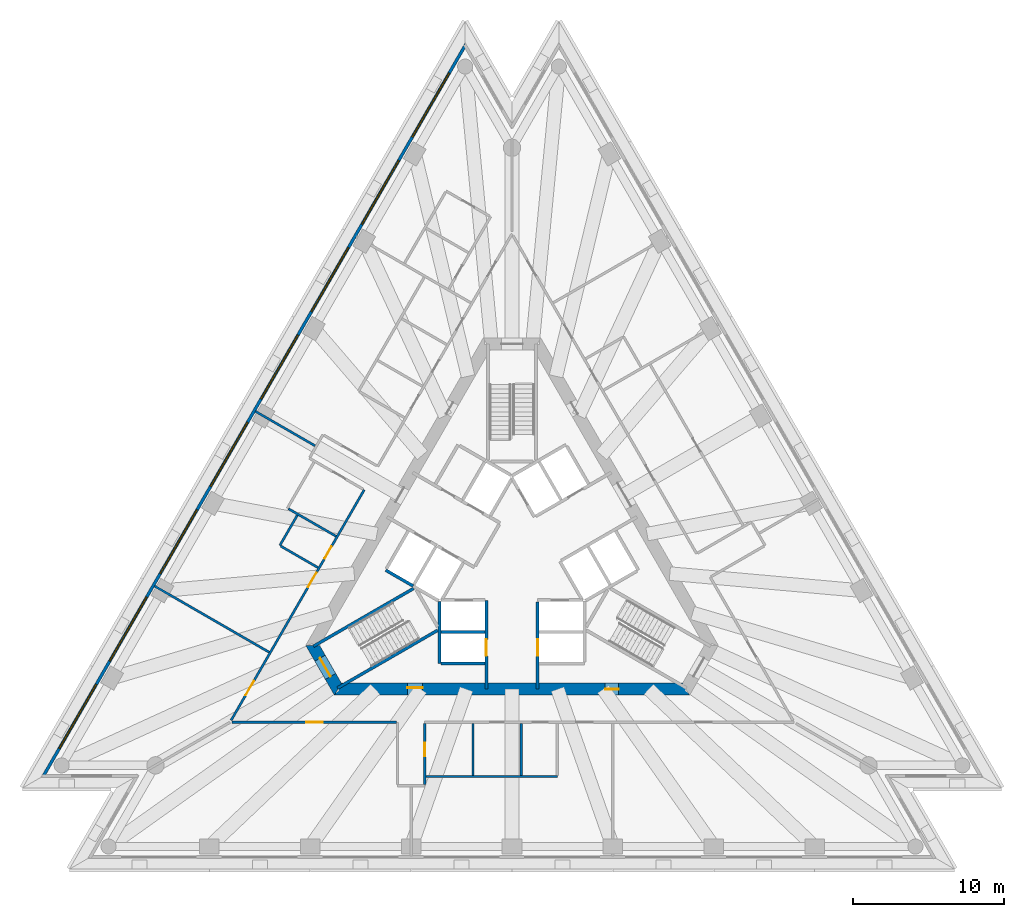
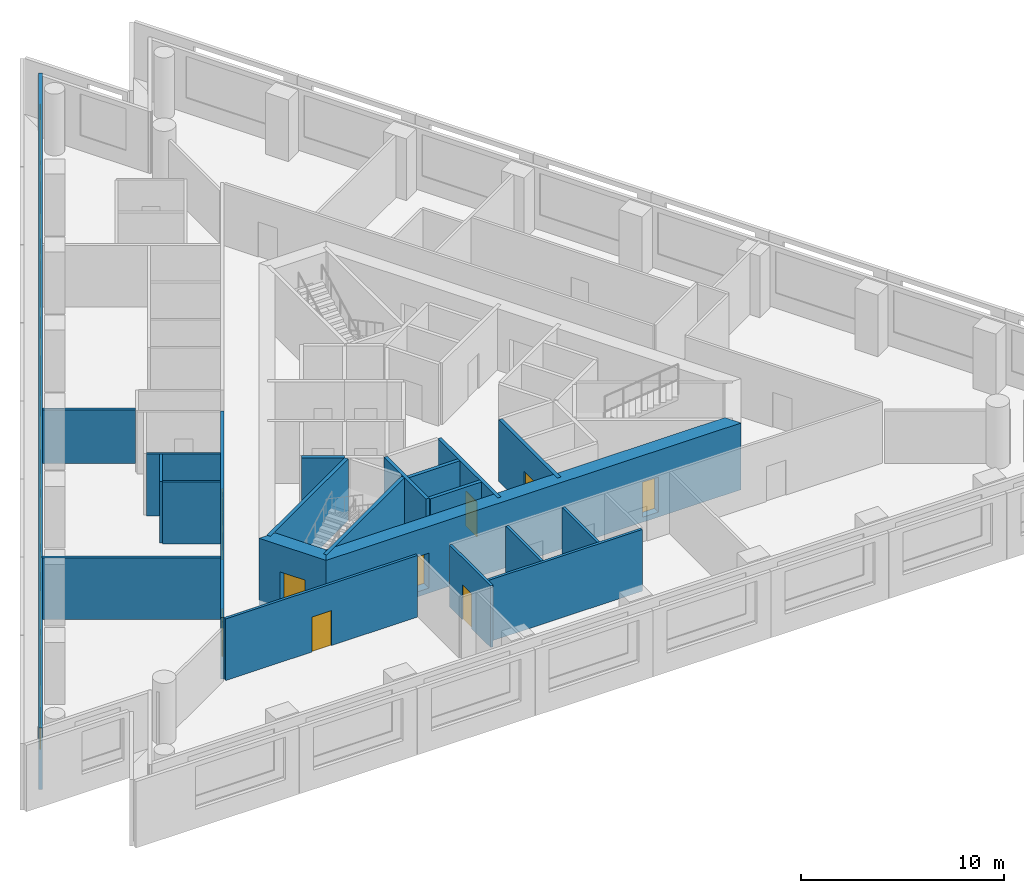
# One storey, part 3 of 9: 22 walls, 10 doors, 8 windows, 18 openings.
"""IFC4 building model written with IfcOpenShell, lengths in metres."""

from ifc_helpers import new_model, si_unit, direction, frame, frame_2d, origin, place, context, subcontext, project, spatial, polyline, rectangle, outline, extrude, material, layer, layer_set, layer_usage, type_object, element, fill, save


model = new_model("IFC4")

# Units and contexts
model_context = context("Model", 3, precision=1e-05, world=origin(), true_north=direction((0.0, 1.0)))
body_context = subcontext(model_context, "Body", "Model", "MODEL_VIEW")
ifc_project = project(units=[si_unit("LENGTHUNIT", "METRE"), si_unit("AREAUNIT", "SQUARE_METRE"), si_unit("VOLUMEUNIT", "CUBIC_METRE"), si_unit("PLANEANGLEUNIT", "RADIAN"), si_unit("MASSUNIT", "GRAM", prefix="KILO")], contexts=[model_context])

# Site, building, storey
site_placement = place(None, origin())
site = spatial("IfcSite", under=ifc_project, at=site_placement, CompositionType="ELEMENT")
building_placement = place(site_placement, origin())
building = spatial("IfcBuilding", under=site, at=building_placement, Name="Triada Interchange Tower", CompositionType="ELEMENT")
storey_placement = place(building_placement, frame((0.0, 0.0, 148.300048828125)))
storey = spatial("IfcBuildingStorey", under=building, at=storey_placement, Name="L34", CompositionType="ELEMENT", Elevation=148.300048828125)

# Walls
ifc_material_1 = material(Name="Concrete C30/37", Category="concrete")
ifc_layer_1 = layer(ifc_material_1, 0.199951171875)
ifc_layer_set_1 = layer_set([ifc_layer_1], Name="CORE WALL 200 EI 120")
wall_type_1 = type_object("IfcWallType", Name="CORE WALL 200 EI 120", PredefinedType="SOLIDWALL", material=ifc_layer_set_1)
wall_1_placement = place(storey_placement, frame((-8.3759765625, -0.70703125, 0.0), z_axis=(0.0, 0.0, 1.0), x_axis=(0.866067520717, -0.499927044236, 0.0)))
element("IfcWall", 1, at=wall_1_placement, inside=storey, type_object=wall_type_1, Name="Wall L32 46", PredefinedType="SOLIDWALL", context=body_context, shape_type="SweptSolid", body=[
    extrude(rectangle(XDim=2.100341796875, YDim=0.199951171875, at=frame_2d((1.05029296875, 0.0))), origin(), (0.0, 0.0, 1.0), 3.699951171875),
])
wall_2_placement = place(storey_placement, frame((-4.699951171875, -4.800048828125, 0.0), z_axis=(0.0, 0.0, 1.0), x_axis=(1.0, 0.0, 0.0)))
element("IfcWall", 2, at=wall_2_placement, inside=storey, type_object=wall_type_1, Name="Wall L32 48", PredefinedType="SOLIDWALL", context=body_context, shape_type="SweptSolid", body=[
    extrude(rectangle(XDim=2.89990234375, YDim=0.199951171875, at=frame_2d((1.449951171875, 0.0))), origin(), (0.0, 0.0, 1.0), 3.699951171875),
])
wall_3_placement = place(storey_placement, frame((-4.800048828125, -6.89990234375, 0.0), z_axis=(0.0, 0.0, 1.0), x_axis=(0.0, 1.0, 0.0)))
element("IfcWall", 3, at=wall_3_placement, inside=storey, type_object=wall_type_1, Name="Wall L32 50", PredefinedType="SOLIDWALL", context=body_context, shape_type="SweptSolid", body=[
    extrude(rectangle(XDim=4.130859375, YDim=0.199951171875, at=frame_2d((2.0654296875, 0.0))), origin(), (0.0, 0.0, 1.0), 3.699951171875),
])
wall_4_placement = place(storey_placement, frame((-4.699951171875, -6.89990234375, 0.0), z_axis=(0.0, 0.0, 1.0), x_axis=(1.0, 0.0, 0.0)))
element("IfcWall", 4, at=wall_4_placement, inside=storey, type_object=wall_type_1, Name="Wall L32 51", PredefinedType="SOLIDWALL", context=body_context, shape_type="SweptSolid", body=[
    extrude(rectangle(XDim=2.89990234375, YDim=0.199951171875, at=frame_2d((1.449951171875, 0.0))), origin(), (0.0, 0.0, 1.0), 3.699951171875),
])

# Wall, opening, door
wall_5_placement = place(storey_placement, frame((-1.699951171875, -8.580078125, 0.0), z_axis=(0.0, 0.0, 1.0), x_axis=(0.0, 1.0, 0.0)))
wall_5 = element("IfcWall", 5, at=wall_5_placement, inside=storey, type_object=wall_type_1, Name="Wall L32 53", PredefinedType="SOLIDWALL", context=body_context, shape_type="SweptSolid", body=[
    extrude(rectangle(XDim=5.877197265625, YDim=0.199951171875, at=frame_2d((2.9384765625, 0.0))), origin(), (0.0, 0.0, 1.0), 3.699951171875),
])
opening_1_placement = place(wall_5_placement, frame((2.179931640625, 0.0, 0.0)))
opening_1 = element("IfcOpeningElement", 6, at=opening_1_placement, cuts=wall_5, Name="Opening LD-LR4", PredefinedType="OPENING", context=body_context, shape_type="SweptSolid", body=[
    extrude(rectangle(XDim=1.10009765625, YDim=2.10009765625, at=frame_2d((0.550048828125, 1.050048828125))), frame((0.0, 0.10986328125, 0.0), z_axis=(0.0, -1.0, 0.0), x_axis=(1.0, 0.0, 0.0)), (0.0, 0.0, 1.0), 0.219970703125),
])
ifc_material_2 = material(Name="Steel S235 door leaf", Category="steel")
door_type_1 = type_object("IfcDoorType", Name="LIFT LANDING DOOR 1100 EI 120", OperationType="SLIDING_TO_LEFT", PredefinedType="DOOR", material=ifc_material_2)
door_1_placement = place(opening_1_placement, origin())
door_1 = element("IfcDoor", 7, at=door_1_placement, inside=storey, type_object=door_type_1, Name="LR4 landing door L34", OperationType="SLIDING_TO_LEFT", OverallHeight=2.10009765625, OverallWidth=1.10009765625, PredefinedType="DOOR", context=body_context, shape_type="SweptSolid", body=[
    extrude(rectangle(XDim=1.10009765625, YDim=2.10009765625, at=frame_2d((0.550048828125, 1.050048828125))), frame((0.0, 0.02490234375, 0.0), z_axis=(0.0, -1.0, 0.0), x_axis=(1.0, 0.0, 0.0)), (0.0, 0.0, 1.0), 0.050048828125),
])
fill(opening_1, door_1)

wall_6_placement = place(storey_placement, frame((1.699951171875, -8.580078125, 0.0), z_axis=(0.0, 0.0, 1.0), x_axis=(0.0, 1.0, 0.0)))
wall_6 = element("IfcWall", 8, at=wall_6_placement, inside=storey, type_object=wall_type_1, Name="Wall L32 60", PredefinedType="SOLIDWALL", context=body_context, shape_type="SweptSolid", body=[
    extrude(rectangle(XDim=5.777099609375, YDim=0.199951171875, at=frame_2d((2.888671875, 0.0))), origin(), (0.0, 0.0, 1.0), 3.699951171875),
])
opening_2_placement = place(wall_6_placement, frame((2.179931640625, 0.0, 0.0)))
opening_2 = element("IfcOpeningElement", 9, at=opening_2_placement, cuts=wall_6, Name="Opening LD-LR2", PredefinedType="OPENING", context=body_context, shape_type="SweptSolid", body=[
    extrude(rectangle(XDim=1.10009765625, YDim=2.10009765625, at=frame_2d((0.550048828125, 1.050048828125))), frame((0.0, 0.10986328125, 0.0), z_axis=(0.0, -1.0, 0.0), x_axis=(1.0, 0.0, 0.0)), (0.0, 0.0, 1.0), 0.219970703125),
])
door_2_placement = place(opening_2_placement, origin())
door_2 = element("IfcDoor", 10, at=door_2_placement, inside=storey, type_object=door_type_1, Name="LR2 landing door L34", OperationType="SLIDING_TO_LEFT", OverallHeight=2.10009765625, OverallWidth=1.10009765625, PredefinedType="DOOR", context=body_context, shape_type="SweptSolid", body=[
    extrude(rectangle(XDim=1.10009765625, YDim=2.10009765625, at=frame_2d((0.550048828125, 1.050048828125))), frame((0.0, 0.02490234375, 0.0), z_axis=(0.0, -1.0, 0.0), x_axis=(1.0, 0.0, 0.0)), (0.0, 0.0, 1.0), 0.050048828125),
])
fill(opening_2, door_2)

# Walls
ifc_layer_2 = layer(ifc_material_1, 0.199951171875)
ifc_layer_set_2 = layer_set([ifc_layer_2], Name="CORE WALL 200 REI 240")
wall_type_2 = type_object("IfcWallType", Name="CORE WALL 200 REI 240", PredefinedType="SOLIDWALL", material=ifc_layer_set_2)
wall_7_placement = place(storey_placement, frame((-13.1669921875, -5.75390625, 0.0), z_axis=(0.0, 0.0, 1.0), x_axis=(0.866060938598, 0.499938446846, 0.0)))
element("IfcWall", 11, at=wall_7_placement, inside=storey, type_object=wall_type_2, Name="Wall L32 83", PredefinedType="SOLIDWALL", context=body_context, shape_type="SweptSolid", body=[
    extrude(rectangle(XDim=7.66455078125, YDim=0.199951171875, at=frame_2d((3.832275390625, 0.0))), origin(), (0.0, 0.0, 1.0), 3.699951171875),
])
wall_8_placement = place(storey_placement, frame((-11.56689453125, -8.52587890625, 0.0), z_axis=(0.0, 0.0, 1.0), x_axis=(0.866005769735, 0.50003400563, 0.0)))
element("IfcWall", 12, at=wall_8_placement, inside=storey, type_object=wall_type_2, Name="Wall L32 85", PredefinedType="SOLIDWALL", context=body_context, shape_type="SweptSolid", body=[
    extrude(rectangle(XDim=7.6650390625, YDim=0.199951171875, at=frame_2d((3.83251953125, 0.0))), origin(), (0.0, 0.0, 1.0), 3.699951171875),
])

# Wall, opening, door
ifc_material_3 = material(Name="Concrete C60/75", Category="concrete")
ifc_layer_3 = layer(ifc_material_3, 0.800048828125)
ifc_layer_set_3 = layer_set([ifc_layer_3], Name="Core wall B 800")
wall_type_3 = type_object("IfcWallType", Name="Core wall B 800", PredefinedType="SHEAR", material=ifc_layer_set_3)
wall_9_placement = place(storey_placement, frame((-13.220947265625, -5.699951171875, -0.300048828125), z_axis=(0.0, 0.0, 1.0), x_axis=(0.49987182685, -0.866099391942, 0.0)))
wall_9 = element("IfcWall", 13, at=wall_9_placement, inside=storey, type_object=wall_type_3, Name="Core wall WB03 L34", PredefinedType="SHEAR", context=body_context, shape_type="SweptSolid", body=[
    extrude(outline(polyline([(-0.23095703125, -0.39990234375), (1.674072265625, -0.39990234375), (3.5791015625, -0.39990234375), (3.117919921875, 0.39990234375), (1.67431640625, 0.39990234375), (0.23095703125, 0.39990234375), (-0.23095703125, -0.39990234375)])), origin(), (0.0, 0.0, 1.0), 4.0),
])
opening_3_placement = place(wall_9_placement, frame((0.97412109375, 0.0, 0.300048828125)))
opening_3 = element("IfcOpeningElement", 14, at=opening_3_placement, cuts=wall_9, Name="Opening D32-36", PredefinedType="OPENING", context=body_context, shape_type="SweptSolid", body=[
    extrude(rectangle(XDim=1.39990234375, YDim=2.10009765625, at=frame_2d((0.699951171875, 1.050048828125))), frame((0.0, 0.409912109375, 0.0), z_axis=(0.0, -1.0, 0.0), x_axis=(1.0, 0.0, 0.0)), (0.0, 0.0, 1.0), 0.820068359375),
])
door_type_2 = type_object("IfcDoorType", Name="STAIR DOOR 1400 EI2 90-C5S200", OperationType="DOUBLE_DOOR_SINGLE_SWING", PredefinedType="DOOR", material=ifc_material_2)
door_3_placement = place(opening_3_placement, origin())
door_3 = element("IfcDoor", 15, at=door_3_placement, inside=storey, type_object=door_type_2, Name="Door D32-36 L34", OperationType="DOUBLE_DOOR_SINGLE_SWING", OverallHeight=2.10009765625, OverallWidth=1.39990234375, PredefinedType="DOOR", context=body_context, shape_type="SweptSolid", body=[
    extrude(rectangle(XDim=1.39990234375, YDim=2.10009765625, at=frame_2d((0.699951171875, 1.050048828125))), frame((0.0, 0.02490234375, 0.0), z_axis=(0.0, -1.0, 0.0), x_axis=(1.0, 0.0, 0.0)), (0.0, 0.0, 1.0), 0.050048828125),
])
fill(opening_3, door_3)

# Wall, openings, doors
wall_10_placement = place(storey_placement, frame((-11.547119140625, -8.60009765625, -0.300048828125), z_axis=(0.0, 0.0, 1.0), x_axis=(1.0, 0.0, 0.0)))
wall_10 = element("IfcWall", 16, at=wall_10_placement, inside=storey, type_object=wall_type_3, Name="Core wall WB04 L34", PredefinedType="SHEAR", context=body_context, shape_type="SweptSolid", body=[
    extrude(outline(polyline([(-0.23095703125, -0.39990234375), (1.73193359375, -0.39990234375), (3.695068359375, -0.39990234375), (5.657958984375, -0.39990234375), (7.62109375, -0.39990234375), (9.583984375, -0.39990234375), (11.546875, -0.39990234375), (13.510009765625, -0.39990234375), (15.472900390625, -0.39990234375), (17.43603515625, -0.39990234375), (19.39892578125, -0.39990234375), (21.362060546875, -0.39990234375), (23.324951171875, -0.39990234375), (22.863037109375, 0.39990234375), (20.97705078125, 0.39990234375), (19.091064453125, 0.39990234375), (17.205078125, 0.39990234375), (15.319091796875, 0.39990234375), (13.43310546875, 0.39990234375), (11.546875, 0.39990234375), (9.660888671875, 0.39990234375), (7.77490234375, 0.39990234375), (5.888916015625, 0.39990234375), (4.0029296875, 0.39990234375), (2.116943359375, 0.39990234375), (0.23095703125, 0.39990234375), (-0.23095703125, -0.39990234375)])), origin(), (0.0, 0.0, 1.0), 4.0),
])
opening_4_placement = place(wall_10_placement, frame((4.612060546875, 0.0, 0.300048828125)))
opening_4 = element("IfcOpeningElement", 17, at=opening_4_placement, cuts=wall_10, Name="Opening D32-39", PredefinedType="OPENING", context=body_context, shape_type="SweptSolid", body=[
    extrude(rectangle(XDim=1.0, YDim=2.10009765625, at=frame_2d((0.5, 1.050048828125))), frame((0.0, 0.409912109375, 0.0), z_axis=(0.0, -1.0, 0.0), x_axis=(1.0, 0.0, 0.0)), (0.0, 0.0, 1.0), 0.820068359375),
])
opening_5_placement = place(wall_10_placement, frame((17.721923828125, 0.0, 0.300048828125)))
opening_5 = element("IfcOpeningElement", 18, at=opening_5_placement, cuts=wall_10, Name="Opening D32-42", PredefinedType="OPENING", context=body_context, shape_type="SweptSolid", body=[
    extrude(rectangle(XDim=0.89990234375, YDim=2.10009765625, at=frame_2d((0.449951171875, 1.050048828125))), frame((0.0, 0.409912109375, 0.0), z_axis=(0.0, -1.0, 0.0), x_axis=(1.0, 0.0, 0.0)), (0.0, 0.0, 1.0), 0.820068359375),
])
door_type_3 = type_object("IfcDoorType", Name="RISER ACCESS DOOR 900 EI2 45-C5S200", OperationType="NOTDEFINED", PredefinedType="DOOR", material=ifc_material_2)
door_4_placement = place(opening_5_placement, origin())
door_4 = element("IfcDoor", 19, at=door_4_placement, inside=storey, type_object=door_type_3, Name="Door D32-42 L34", OperationType="SINGLE_SWING_LEFT", OverallHeight=2.10009765625, OverallWidth=0.89990234375, PredefinedType="DOOR", context=body_context, shape_type="SweptSolid", body=[
    extrude(rectangle(XDim=0.89990234375, YDim=2.10009765625, at=frame_2d((0.449951171875, 1.050048828125))), frame((0.0, 0.02490234375, 0.0), z_axis=(0.0, -1.0, 0.0), x_axis=(1.0, 0.0, 0.0)), (0.0, 0.0, 1.0), 0.050048828125),
])
fill(opening_5, door_4)
door_type_4 = type_object("IfcDoorType", Name="SERVICE DOOR 1000 EI2 45-C5S200", OperationType="NOTDEFINED", PredefinedType="DOOR", material=ifc_material_2)
door_5_placement = place(opening_4_placement, origin())
door_5 = element("IfcDoor", 20, at=door_5_placement, inside=storey, type_object=door_type_4, Name="Door D32-39 L34", OperationType="SINGLE_SWING_LEFT", OverallHeight=2.10009765625, OverallWidth=1.0, PredefinedType="DOOR", context=body_context, shape_type="SweptSolid", body=[
    extrude(rectangle(XDim=1.0, YDim=2.10009765625, at=frame_2d((0.5, 1.050048828125))), frame((0.0, 0.125, 0.0), z_axis=(0.0, -1.0, 0.0), x_axis=(1.0, 0.0, 0.0)), (0.0, 0.0, 1.0), 0.050048828125),
])
fill(opening_4, door_5)

# Wall, openings, windows
ifc_material_4 = material(Name="Cement board")
ifc_layer_4 = layer(ifc_material_4, 0.02001953125, Name="Cement board cladding")
ifc_material_5 = material(Name="Sheathing board")
ifc_layer_5 = layer(ifc_material_5, 0.014892578125, Name="Sheathing board")
ifc_material_6 = material(Name="Mineral wool")
ifc_layer_6 = layer(ifc_material_6, 0.14990234375, Name="Mineral wool between steel studs")
ifc_material_7 = material(Name="Gypsum board")
ifc_layer_7 = layer(ifc_material_7, 0.014892578125, Name="Plasterboard lining")
ifc_layer_set_4 = layer_set([ifc_layer_4, ifc_layer_5, ifc_layer_6, ifc_layer_7], Name="External wall 200")
ifc_layer_usage = layer_usage(ifc_layer_set_4, "AXIS2", "POSITIVE", -0.10009765625)
wall_type_4 = type_object("IfcWallType", Name="External wall 200", PredefinedType="ELEMENTEDWALL", material=ifc_layer_set_4)
wall_11_placement = place(storey_placement, frame((-3.06298828125, 34.172119140625, 0.0), z_axis=(0.0, 0.0, 1.0), x_axis=(-0.500008098571, -0.866020728022, 0.0)))
wall_11 = element("IfcWall", 21, at=wall_11_placement, inside=storey, type_object=wall_type_4, material=ifc_layer_usage, Name="External wall L34 NW", PredefinedType="ELEMENTEDWALL", context=body_context, shape_type="SweptSolid", body=[
    extrude(rectangle(XDim=56.10498046875, YDim=0.199951171875, at=frame_2d((28.052490234375, 0.0))), origin(), (0.0, 0.0, 1.0), 3.699951171875),
])
opening_6_placement = place(wall_11_placement, frame((2.197021484375, 0.0, 0.89990234375)))
opening_6 = element("IfcOpeningElement", 22, at=opening_6_placement, cuts=wall_11, Name="Opening WB01", PredefinedType="OPENING", context=body_context, shape_type="SweptSolid", body=[
    extrude(rectangle(XDim=4.89990234375, YDim=2.5, at=frame_2d((2.449951171875, 1.25))), frame((0.0, 0.10986328125, 0.0), z_axis=(0.0, -1.0, 0.0), x_axis=(1.0, 0.0, 0.0)), (0.0, 0.0, 1.0), 0.219970703125),
])
opening_7_placement = place(wall_11_placement, frame((8.886962890625, 0.0, 0.89990234375)))
opening_7 = element("IfcOpeningElement", 23, at=opening_7_placement, cuts=wall_11, Name="Opening WB02", PredefinedType="OPENING", context=body_context, shape_type="SweptSolid", body=[
    extrude(rectangle(XDim=4.89990234375, YDim=2.5, at=frame_2d((2.449951171875, 1.25))), frame((0.0, 0.10986328125, 0.0), z_axis=(0.0, -1.0, 0.0), x_axis=(1.0, 0.0, 0.0)), (0.0, 0.0, 1.0), 0.219970703125),
])
opening_8_placement = place(wall_11_placement, frame((15.576904296875, 0.0, 0.89990234375)))
opening_8 = element("IfcOpeningElement", 24, at=opening_8_placement, cuts=wall_11, Name="Opening WB03", PredefinedType="OPENING", context=body_context, shape_type="SweptSolid", body=[
    extrude(rectangle(XDim=4.89990234375, YDim=2.5, at=frame_2d((2.449951171875, 1.25))), frame((0.0, 0.10986328125, 0.0), z_axis=(0.0, -1.0, 0.0), x_axis=(1.0, 0.0, 0.0)), (0.0, 0.0, 1.0), 0.219970703125),
])
opening_9_placement = place(wall_11_placement, frame((22.26708984375, 0.0, 0.89990234375)))
opening_9 = element("IfcOpeningElement", 25, at=opening_9_placement, cuts=wall_11, Name="Opening WB04", PredefinedType="OPENING", context=body_context, shape_type="SweptSolid", body=[
    extrude(rectangle(XDim=4.89990234375, YDim=2.5, at=frame_2d((2.449951171875, 1.25))), frame((0.0, 0.10986328125, 0.0), z_axis=(0.0, -1.0, 0.0), x_axis=(1.0, 0.0, 0.0)), (0.0, 0.0, 1.0), 0.219970703125),
])
opening_10_placement = place(wall_11_placement, frame((28.95703125, 0.0, 0.89990234375)))
opening_10 = element("IfcOpeningElement", 26, at=opening_10_placement, cuts=wall_11, Name="Opening WB05", PredefinedType="OPENING", context=body_context, shape_type="SweptSolid", body=[
    extrude(rectangle(XDim=4.89990234375, YDim=2.5, at=frame_2d((2.449951171875, 1.25))), frame((0.0, 0.10986328125, 0.0), z_axis=(0.0, -1.0, 0.0), x_axis=(1.0, 0.0, 0.0)), (0.0, 0.0, 1.0), 0.219970703125),
])
opening_11_placement = place(wall_11_placement, frame((35.64697265625, 0.0, 0.89990234375)))
opening_11 = element("IfcOpeningElement", 27, at=opening_11_placement, cuts=wall_11, Name="Opening WB06", PredefinedType="OPENING", context=body_context, shape_type="SweptSolid", body=[
    extrude(rectangle(XDim=4.89990234375, YDim=2.5, at=frame_2d((2.449951171875, 1.25))), frame((0.0, 0.10986328125, 0.0), z_axis=(0.0, -1.0, 0.0), x_axis=(1.0, 0.0, 0.0)), (0.0, 0.0, 1.0), 0.219970703125),
])
opening_12_placement = place(wall_11_placement, frame((42.3369140625, 0.0, 0.89990234375)))
opening_12 = element("IfcOpeningElement", 28, at=opening_12_placement, cuts=wall_11, Name="Opening WB07", PredefinedType="OPENING", context=body_context, shape_type="SweptSolid", body=[
    extrude(rectangle(XDim=4.89990234375, YDim=2.5, at=frame_2d((2.449951171875, 1.25))), frame((0.0, 0.10986328125, 0.0), z_axis=(0.0, -1.0, 0.0), x_axis=(1.0, 0.0, 0.0)), (0.0, 0.0, 1.0), 0.219970703125),
])
opening_13_placement = place(wall_11_placement, frame((49.027099609375, 0.0, 0.89990234375)))
opening_13 = element("IfcOpeningElement", 29, at=opening_13_placement, cuts=wall_11, Name="Opening WB08", PredefinedType="OPENING", context=body_context, shape_type="SweptSolid", body=[
    extrude(rectangle(XDim=4.89990234375, YDim=2.5, at=frame_2d((2.449951171875, 1.25))), frame((0.0, 0.10986328125, 0.0), z_axis=(0.0, -1.0, 0.0), x_axis=(1.0, 0.0, 0.0)), (0.0, 0.0, 1.0), 0.219970703125),
])
ifc_material_8 = material(Name="Double glazed aluminium window", Category="aluminium")
window_type = type_object("IfcWindowType", Name="Ribbon window B face", PartitioningType="SINGLE_PANEL", PredefinedType="WINDOW", material=ifc_material_8)
window_1_placement = place(opening_6_placement, origin())
window_1 = element("IfcWindow", 30, at=window_1_placement, inside=storey, type_object=window_type, Name="Window L34 NW 1", OverallHeight=2.5, OverallWidth=4.89990234375, PartitioningType="SINGLE_PANEL", PredefinedType="WINDOW", context=body_context, shape_type="SweptSolid", body=[
    extrude(rectangle(XDim=4.89990234375, YDim=2.5, at=frame_2d((2.449951171875, 1.25))), frame((0.0, 0.030029296875, 0.0), z_axis=(0.0, -1.0, 0.0), x_axis=(1.0, 0.0, 0.0)), (0.0, 0.0, 1.0), 0.06005859375),
])
fill(opening_6, window_1)
window_2_placement = place(opening_7_placement, origin())
window_2 = element("IfcWindow", 31, at=window_2_placement, inside=storey, type_object=window_type, Name="Window L34 NW 2", OverallHeight=2.5, OverallWidth=4.89990234375, PartitioningType="SINGLE_PANEL", PredefinedType="WINDOW", context=body_context, shape_type="SweptSolid", body=[
    extrude(rectangle(XDim=4.89990234375, YDim=2.5, at=frame_2d((2.449951171875, 1.25))), frame((0.0, 0.030029296875, 0.0), z_axis=(0.0, -1.0, 0.0), x_axis=(1.0, 0.0, 0.0)), (0.0, 0.0, 1.0), 0.06005859375),
])
fill(opening_7, window_2)
window_3_placement = place(opening_8_placement, origin())
window_3 = element("IfcWindow", 32, at=window_3_placement, inside=storey, type_object=window_type, Name="Window L34 NW 3", OverallHeight=2.5, OverallWidth=4.89990234375, PartitioningType="SINGLE_PANEL", PredefinedType="WINDOW", context=body_context, shape_type="SweptSolid", body=[
    extrude(rectangle(XDim=4.89990234375, YDim=2.5, at=frame_2d((2.449951171875, 1.25))), frame((0.0, 0.030029296875, 0.0), z_axis=(0.0, -1.0, 0.0), x_axis=(1.0, 0.0, 0.0)), (0.0, 0.0, 1.0), 0.06005859375),
])
fill(opening_8, window_3)
window_4_placement = place(opening_9_placement, origin())
window_4 = element("IfcWindow", 33, at=window_4_placement, inside=storey, type_object=window_type, Name="Window L34 NW 4", OverallHeight=2.5, OverallWidth=4.89990234375, PartitioningType="SINGLE_PANEL", PredefinedType="WINDOW", context=body_context, shape_type="SweptSolid", body=[
    extrude(rectangle(XDim=4.89990234375, YDim=2.5, at=frame_2d((2.449951171875, 1.25))), frame((0.0, 0.030029296875, 0.0), z_axis=(0.0, -1.0, 0.0), x_axis=(1.0, 0.0, 0.0)), (0.0, 0.0, 1.0), 0.06005859375),
])
fill(opening_9, window_4)
window_5_placement = place(opening_10_placement, origin())
window_5 = element("IfcWindow", 34, at=window_5_placement, inside=storey, type_object=window_type, Name="Window L34 NW 5", OverallHeight=2.5, OverallWidth=4.89990234375, PartitioningType="SINGLE_PANEL", PredefinedType="WINDOW", context=body_context, shape_type="SweptSolid", body=[
    extrude(rectangle(XDim=4.89990234375, YDim=2.5, at=frame_2d((2.449951171875, 1.25))), frame((0.0, 0.030029296875, 0.0), z_axis=(0.0, -1.0, 0.0), x_axis=(1.0, 0.0, 0.0)), (0.0, 0.0, 1.0), 0.06005859375),
])
fill(opening_10, window_5)
window_6_placement = place(opening_11_placement, origin())
window_6 = element("IfcWindow", 35, at=window_6_placement, inside=storey, type_object=window_type, Name="Window L34 NW 6", OverallHeight=2.5, OverallWidth=4.89990234375, PartitioningType="SINGLE_PANEL", PredefinedType="WINDOW", context=body_context, shape_type="SweptSolid", body=[
    extrude(rectangle(XDim=4.89990234375, YDim=2.5, at=frame_2d((2.449951171875, 1.25))), frame((0.0, 0.030029296875, 0.0), z_axis=(0.0, -1.0, 0.0), x_axis=(1.0, 0.0, 0.0)), (0.0, 0.0, 1.0), 0.06005859375),
])
fill(opening_11, window_6)
window_7_placement = place(opening_12_placement, origin())
window_7 = element("IfcWindow", 36, at=window_7_placement, inside=storey, type_object=window_type, Name="Window L34 NW 7", OverallHeight=2.5, OverallWidth=4.89990234375, PartitioningType="SINGLE_PANEL", PredefinedType="WINDOW", context=body_context, shape_type="SweptSolid", body=[
    extrude(rectangle(XDim=4.89990234375, YDim=2.5, at=frame_2d((2.449951171875, 1.25))), frame((0.0, 0.030029296875, 0.0), z_axis=(0.0, -1.0, 0.0), x_axis=(1.0, 0.0, 0.0)), (0.0, 0.0, 1.0), 0.06005859375),
])
fill(opening_12, window_7)
window_8_placement = place(opening_13_placement, origin())
window_8 = element("IfcWindow", 37, at=window_8_placement, inside=storey, type_object=window_type, Name="Window L34 NW 8", OverallHeight=2.5, OverallWidth=4.89990234375, PartitioningType="SINGLE_PANEL", PredefinedType="WINDOW", context=body_context, shape_type="SweptSolid", body=[
    extrude(rectangle(XDim=4.89990234375, YDim=2.5, at=frame_2d((2.449951171875, 1.25))), frame((0.0, 0.030029296875, 0.0), z_axis=(0.0, -1.0, 0.0), x_axis=(1.0, 0.0, 0.0)), (0.0, 0.0, 1.0), 0.06005859375),
])
fill(opening_13, window_8)

# Wall
ifc_material_9 = material(Name="Gypsum board partition")
ifc_layer_8 = layer(ifc_material_9, 0.14990234375)
ifc_layer_set_5 = layer_set([ifc_layer_8], Name="PARTITION 150 EI 180")
wall_type_5 = type_object("IfcWallType", Name="PARTITION 150 EI 180", PredefinedType="PARTITIONING", material=ifc_layer_set_5)
wall_12_placement = place(storey_placement, frame((-23.715087890625, -1.758056640625, 0.0), z_axis=(0.0, 0.0, 1.0), x_axis=(0.866033311227, -0.499986303657, 0.0)))
element("IfcWall", 38, at=wall_12_placement, inside=storey, type_object=wall_type_5, Name="Wall L32 2", PredefinedType="PARTITIONING", context=body_context, shape_type="SweptSolid", body=[
    extrude(rectangle(XDim=8.783935546875, YDim=0.14990234375, at=frame_2d((4.39208984375, 0.0))), origin(), (0.0, 0.0, 1.0), 3.699951171875),
])

# Wall, opening, door
wall_13_placement = place(storey_placement, frame((-18.555908203125, -10.800048828125, 0.0), z_axis=(0.0, 0.0, 1.0), x_axis=(1.0, 0.0, 0.0)))
wall_13 = element("IfcWall", 39, at=wall_13_placement, inside=storey, type_object=wall_type_5, Name="Wall L32 5", PredefinedType="PARTITIONING", context=body_context, shape_type="SweptSolid", body=[
    extrude(rectangle(XDim=10.889892578125, YDim=0.14990234375, at=frame_2d((5.44482421875, 0.0))), origin(), (0.0, 0.0, 1.0), 3.699951171875),
])
opening_14_placement = place(wall_13_placement, frame((4.89990234375, 0.0, 0.0)))
opening_14 = element("IfcOpeningElement", 40, at=opening_14_placement, cuts=wall_13, Name="Opening D32-11", PredefinedType="OPENING", context=body_context, shape_type="SweptSolid", body=[
    extrude(rectangle(XDim=1.10009765625, YDim=2.10009765625, at=frame_2d((0.550048828125, 1.050048828125))), frame((0.0, 0.0849609375, 0.0), z_axis=(0.0, -1.0, 0.0), x_axis=(1.0, 0.0, 0.0)), (0.0, 0.0, 1.0), 0.169921875),
])
door_type_5 = type_object("IfcDoorType", Name="TENANCY ENTRANCE DOOR 1100 EI2 90-C5S200", OperationType="NOTDEFINED", PredefinedType="DOOR", material=ifc_material_2)
door_6_placement = place(opening_14_placement, origin())
door_6 = element("IfcDoor", 41, at=door_6_placement, inside=storey, type_object=door_type_5, Name="Door D32-11 L34", OperationType="SINGLE_SWING_RIGHT", OverallHeight=2.10009765625, OverallWidth=1.10009765625, PredefinedType="DOOR", context=body_context, shape_type="SweptSolid", body=[
    extrude(rectangle(XDim=1.10009765625, YDim=2.10009765625, at=frame_2d((0.550048828125, 1.050048828125))), frame((0.0, 0.02490234375, 0.0), z_axis=(0.0, -1.0, 0.0), x_axis=(1.0, 0.0, 0.0)), (0.0, 0.0, 1.0), 0.050048828125),
])
fill(opening_14, door_6)

# Wall, openings, doors
wall_14_placement = place(storey_placement, frame((-18.631103515625, -10.6689453125, 0.0), z_axis=(0.0, 0.0, 1.0), x_axis=(0.50004165882, 0.866001350717, 0.0)))
wall_14 = element("IfcWall", 42, at=wall_14_placement, inside=storey, type_object=wall_type_5, Name="Wall L32 7", PredefinedType="PARTITIONING", context=body_context, shape_type="SweptSolid", body=[
    extrude(rectangle(XDim=17.65478515625, YDim=0.14990234375, at=frame_2d((8.827392578125, 0.0))), origin(), (0.0, 0.0, 1.0), 3.699951171875),
])
opening_15_placement = place(wall_14_placement, frame((10.2060546875, 0.0, 0.0)))
opening_15 = element("IfcOpeningElement", 43, at=opening_15_placement, cuts=wall_14, Name="Opening D32-30", PredefinedType="OPENING", context=body_context, shape_type="SweptSolid", body=[
    extrude(rectangle(XDim=1.10009765625, YDim=2.10009765625, at=frame_2d((0.550048828125, 1.050048828125))), frame((0.0, 0.0849609375, 0.0), z_axis=(0.0, -1.0, 0.0), x_axis=(1.0, 0.0, 0.0)), (0.0, 0.0, 1.0), 0.169921875),
])
opening_16_placement = place(wall_14_placement, frame((12.406005859375, 0.0, 0.0)))
opening_16 = element("IfcOpeningElement", 44, at=opening_16_placement, cuts=wall_14, Name="Opening D32-32", PredefinedType="OPENING", context=body_context, shape_type="SweptSolid", body=[
    extrude(rectangle(XDim=0.89990234375, YDim=2.10009765625, at=frame_2d((0.449951171875, 1.050048828125))), frame((0.0, 0.0849609375, 0.0), z_axis=(0.0, -1.0, 0.0), x_axis=(1.0, 0.0, 0.0)), (0.0, 0.0, 1.0), 0.169921875),
])
opening_17_placement = place(wall_14_placement, frame((1.925048828125, 0.0, 0.0)))
opening_17 = element("IfcOpeningElement", 45, at=opening_17_placement, cuts=wall_14, Name="Opening D32-33", PredefinedType="OPENING", context=body_context, shape_type="SweptSolid", body=[
    extrude(rectangle(XDim=1.10009765625, YDim=2.10009765625, at=frame_2d((0.550048828125, 1.050048828125))), frame((0.0, 0.0849609375, 0.0), z_axis=(0.0, -1.0, 0.0), x_axis=(1.0, 0.0, 0.0)), (0.0, 0.0, 1.0), 0.169921875),
])
door_type_6 = type_object("IfcDoorType", Name="ROOM DOOR 900 EI2 90-C5S200", OperationType="NOTDEFINED", PredefinedType="DOOR", material=ifc_material_2)
door_7_placement = place(opening_16_placement, origin())
door_7 = element("IfcDoor", 46, at=door_7_placement, inside=storey, type_object=door_type_6, Name="Door D32-32 L34", OperationType="SINGLE_SWING_LEFT", OverallHeight=2.10009765625, OverallWidth=0.89990234375, PredefinedType="DOOR", context=body_context, shape_type="SweptSolid", body=[
    extrude(rectangle(XDim=0.89990234375, YDim=2.10009765625, at=frame_2d((0.449951171875, 1.050048828125))), frame((0.0, 0.02490234375, 0.0), z_axis=(0.0, -1.0, 0.0), x_axis=(1.0, 0.0, 0.0)), (0.0, 0.0, 1.0), 0.050048828125),
])
fill(opening_16, door_7)
door_8_placement = place(opening_15_placement, origin())
door_8 = element("IfcDoor", 47, at=door_8_placement, inside=storey, type_object=door_type_5, Name="Door D32-30 L34", OperationType="SINGLE_SWING_LEFT", OverallHeight=2.10009765625, OverallWidth=1.10009765625, PredefinedType="DOOR", context=body_context, shape_type="SweptSolid", body=[
    extrude(rectangle(XDim=1.10009765625, YDim=2.10009765625, at=frame_2d((0.550048828125, 1.050048828125))), frame((0.0, 0.02490234375, 0.0), z_axis=(0.0, -1.0, 0.0), x_axis=(1.0, 0.0, 0.0)), (0.0, 0.0, 1.0), 0.050048828125),
])
fill(opening_15, door_8)
door_9_placement = place(opening_17_placement, origin())
door_9 = element("IfcDoor", 48, at=door_9_placement, inside=storey, type_object=door_type_5, Name="Door D32-33 L34", OperationType="SINGLE_SWING_LEFT", OverallHeight=2.10009765625, OverallWidth=1.10009765625, PredefinedType="DOOR", context=body_context, shape_type="SweptSolid", body=[
    extrude(rectangle(XDim=1.10009765625, YDim=2.10009765625, at=frame_2d((0.550048828125, 1.050048828125))), frame((0.0, 0.02490234375, 0.0), z_axis=(0.0, -1.0, 0.0), x_axis=(1.0, 0.0, 0.0)), (0.0, 0.0, 1.0), 0.050048828125),
])
fill(opening_17, door_9)

# Walls
wall_15_placement = place(storey_placement, frame((-17.02490234375, 9.830078125, 0.0), z_axis=(0.0, 0.0, 1.0), x_axis=(0.866032154434, -0.49998830735, 0.0)))
element("IfcWall", 49, at=wall_15_placement, inside=storey, type_object=wall_type_5, Name="Wall L32 9", PredefinedType="PARTITIONING", context=body_context, shape_type="SweptSolid", body=[
    extrude(rectangle(XDim=4.583984375, YDim=0.14990234375, at=frame_2d((2.2919921875, 0.0))), origin(), (0.0, 0.0, 1.0), 3.199951171875),
])
wall_16_placement = place(storey_placement, frame((-14.8291015625, 3.365966796875, 0.0), z_axis=(0.0, 0.0, 1.0), x_axis=(0.866040790738, -0.499973348067, 0.0)))
element("IfcWall", 50, at=wall_16_placement, inside=storey, type_object=wall_type_5, Name="Wall L32 12", PredefinedType="PARTITIONING", context=body_context, shape_type="SweptSolid", body=[
    extrude(rectangle(XDim=3.650146484375, YDim=0.14990234375, at=frame_2d((1.8251953125, 0.0))), origin(), (0.0, 0.0, 1.0), 3.699951171875),
])
wall_17_placement = place(storey_placement, frame((-15.40087890625, 0.925048828125, 0.0), z_axis=(0.0, 0.0, 1.0), x_axis=(0.500216356891, 0.865900454035, 0.0)))
element("IfcWall", 51, at=wall_17_placement, inside=storey, type_object=wall_type_5, Name="Wall L32 13", PredefinedType="PARTITIONING", context=body_context, shape_type="SweptSolid", body=[
    extrude(rectangle(XDim=2.32470703125, YDim=0.14990234375, at=frame_2d((1.162353515625, 0.0))), origin(), (0.0, 0.0, 1.0), 3.699951171875),
])
wall_18_placement = place(storey_placement, frame((-15.3359375, 0.886962890625, 0.0), z_axis=(0.0, 0.0, 1.0), x_axis=(0.866004402611, -0.500036373335, 0.0)))
element("IfcWall", 52, at=wall_18_placement, inside=storey, type_object=wall_type_5, Name="Wall L32 14", PredefinedType="PARTITIONING", context=body_context, shape_type="SweptSolid", body=[
    extrude(rectangle(XDim=2.849853515625, YDim=0.14990234375, at=frame_2d((1.4248046875, 0.0))), origin(), (0.0, 0.0, 1.0), 3.699951171875),
])

# Wall, opening, door
wall_19_placement = place(storey_placement, frame((-5.7900390625, -14.925048828125, 0.0), z_axis=(0.0, 0.0, 1.0), x_axis=(0.0, 1.0, 0.0)))
wall_19 = element("IfcWall", 53, at=wall_19_placement, inside=storey, type_object=wall_type_5, Name="Wall L32 24", PredefinedType="PARTITIONING", context=body_context, shape_type="SweptSolid", body=[
    extrude(rectangle(XDim=4.049072265625, YDim=0.14990234375, at=frame_2d((2.0244140625, 0.0))), origin(), (0.0, 0.0, 1.0), 3.699951171875),
])
opening_18_placement = place(wall_19_placement, frame((1.875, 0.0, 0.0)))
opening_18 = element("IfcOpeningElement", 54, at=opening_18_placement, cuts=wall_19, Name="Opening D32-13", PredefinedType="OPENING", context=body_context, shape_type="SweptSolid", body=[
    extrude(rectangle(XDim=0.89990234375, YDim=2.10009765625, at=frame_2d((0.449951171875, 1.050048828125))), frame((0.0, 0.0849609375, 0.0), z_axis=(0.0, -1.0, 0.0), x_axis=(1.0, 0.0, 0.0)), (0.0, 0.0, 1.0), 0.169921875),
])
door_10_placement = place(opening_18_placement, origin())
door_10 = element("IfcDoor", 55, at=door_10_placement, inside=storey, type_object=door_type_6, Name="Door D32-13 L34", OperationType="SINGLE_SWING_RIGHT", OverallHeight=2.10009765625, OverallWidth=0.89990234375, PredefinedType="DOOR", context=body_context, shape_type="SweptSolid", body=[
    extrude(rectangle(XDim=0.89990234375, YDim=2.10009765625, at=frame_2d((0.449951171875, 1.050048828125))), frame((0.0, 0.02490234375, 0.0), z_axis=(0.0, -1.0, 0.0), x_axis=(1.0, 0.0, 0.0)), (0.0, 0.0, 1.0), 0.050048828125),
])
fill(opening_18, door_10)

# Walls
wall_20_placement = place(storey_placement, frame((-5.715087890625, -14.39990234375, 0.0), z_axis=(0.0, 0.0, 1.0), x_axis=(1.0, 0.0, 0.0)))
element("IfcWall", 56, at=wall_20_placement, inside=storey, type_object=wall_type_5, Name="Wall L32 25", PredefinedType="PARTITIONING", context=body_context, shape_type="SweptSolid", body=[
    extrude(rectangle(XDim=8.72509765625, YDim=0.14990234375, at=frame_2d((4.362548828125, 0.0))), origin(), (0.0, 0.0, 1.0), 3.699951171875),
])
for number, where, z_axis, x_axis, name in (
    (57, (-2.590087890625, -14.324951171875, 0.0), (0.0, 0.0, 1.0), (0.0, 1.0, 0.0), "Wall L32 26"),
    (58, (0.610107421875, -14.324951171875, 0.0), (0.0, 0.0, 1.0), (0.0, 1.0, 0.0), "Wall L32 31"),
):
    element("IfcWall", number, at=place(storey_placement, frame(where, z_axis=z_axis, x_axis=x_axis)), inside=storey, type_object=wall_type_5, Name=name, PredefinedType="PARTITIONING", context=body_context, shape_type="SweptSolid", body=[
        extrude(rectangle(XDim=3.449951171875, YDim=0.14990234375, at=frame_2d((1.72509765625, 0.0))), origin(), (0.0, 0.0, 1.0), 3.699951171875),
    ])

save(model, "model.ifc")
